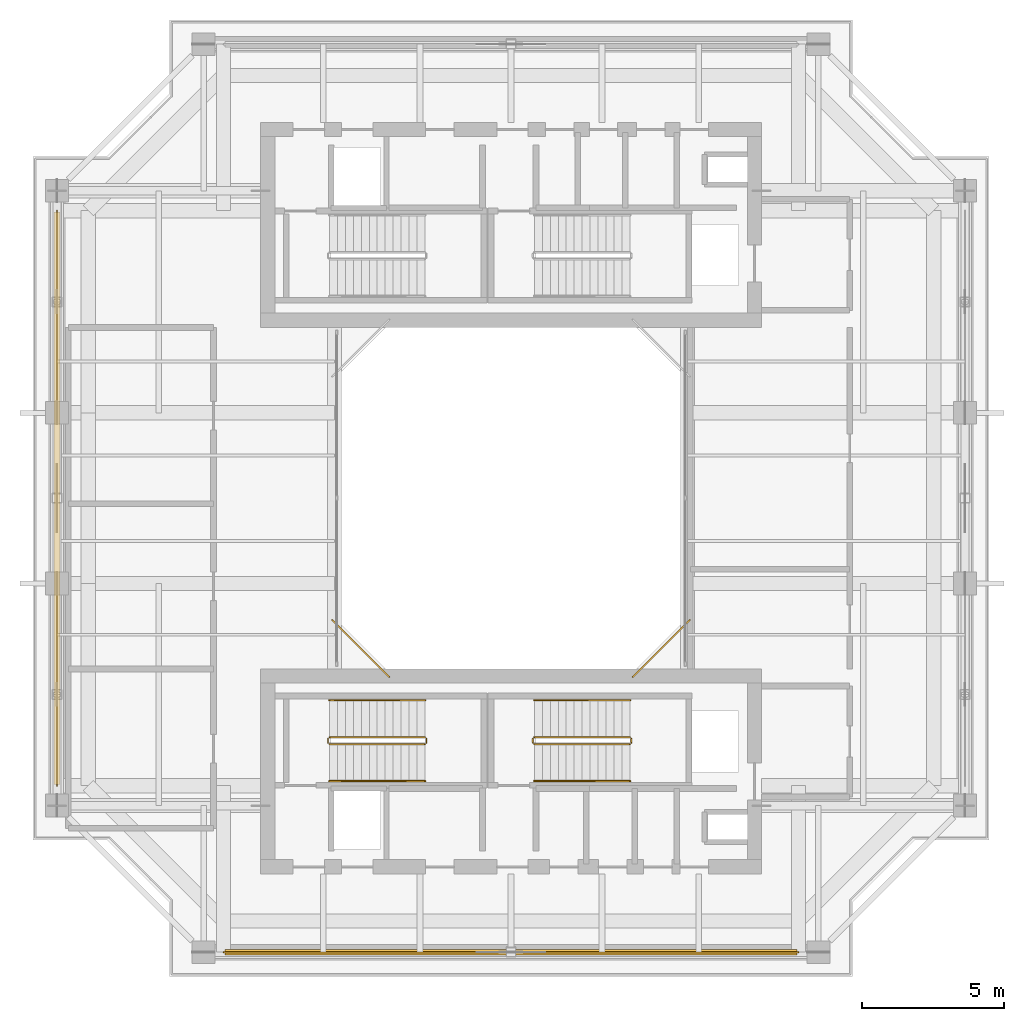
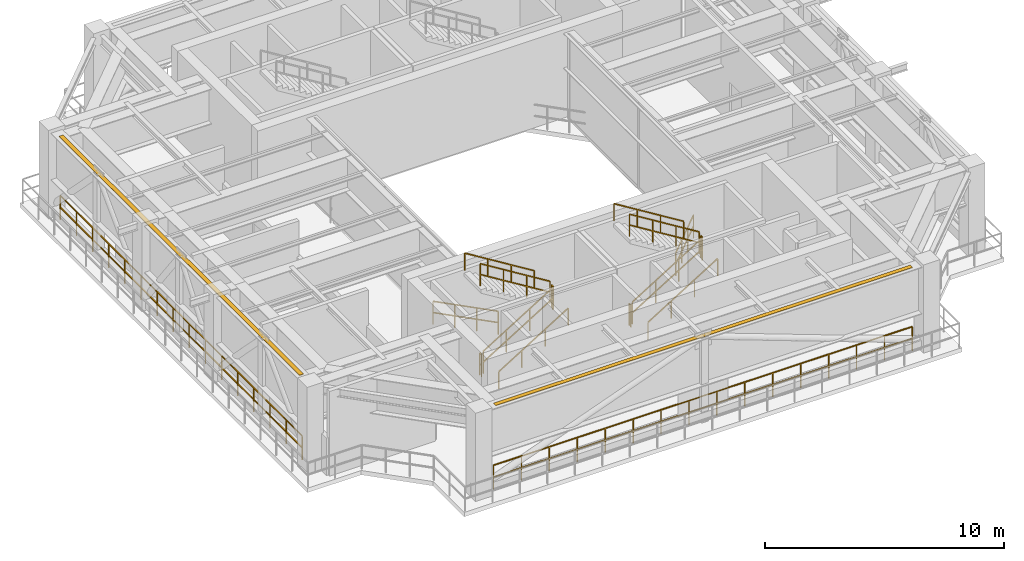
# One storey, part 8 of 10: 16 railings, 2 shading devices.
"""IFC4 building model written with IfcOpenShell, lengths in metres."""

import ifcopenshell
import ifcopenshell.guid

model = None  # the IFC model being written
_history = None  # IfcOwnerHistory: only IFC2X3 demands one
_inside = {}  # id of a spatial element -> (the spatial element, [elements in it])
_under = {}  # id of a project, library or spatial element -> (it, [spatial elements below it])
_declared = {}  # id of a project -> (the project, [libraries it declares])
_typed = {}  # id of a type object -> (the type object, [elements of that type])
_made_of = {}  # id of a material, layer set ... -> (it, [elements and type objects made of it])


def new_model(schema):
    """Start an empty IFC model of exactly this schema.

    Asked for "IFC4X3", IfcOpenShell would pick the latest addendum, in which some entities
    have other attributes; the version numbers below select the first issue.
    IFC2X3 requires an IfcOwnerHistory on every rooted entity: one is made here for all.
    """
    global model, _history
    if schema == "IFC4X3":
        model = ifcopenshell.file(schema_version=(4, 3, 0, 0))
    else:
        model = ifcopenshell.file(schema=schema)
    _inside.clear()
    _under.clear()
    _declared.clear()
    _typed.clear()
    _made_of.clear()
    _history = None
    if model.schema == "IFC2X3":
        org = make("IfcOrganization", Name="unknown")
        user = make(
            "IfcPersonAndOrganization",
            ThePerson=make("IfcPerson", FamilyName="unknown"),
            TheOrganization=org,
        )
        app = make(
            "IfcApplication",
            ApplicationDeveloper=org,
            Version="unknown",
            ApplicationFullName="unknown",
            ApplicationIdentifier="unknown",
        )
        _history = make(
            "IfcOwnerHistory",
            OwningUser=user,
            OwningApplication=app,
            ChangeAction="ADDED",
            CreationDate=0,
        )
    return model


def make(cls, **values):
    """One entity of the class cls with the attributes given. An attribute that is None is left unset."""
    return model.create_entity(
        cls, **{name: value for name, value in values.items() if value is not None}
    )


def rooted(cls, **values):
    """An entity with a GlobalId (a new one), such as an element, a storey or a relation."""
    return make(cls, GlobalId=ifcopenshell.guid.new(), OwnerHistory=_history, **values)


def si_unit(unit_type, name, prefix=None):
    """IfcSIUnit, for example si_unit("LENGTHUNIT", "METRE", prefix="MILLI")."""
    return make("IfcSIUnit", UnitType=unit_type, Prefix=prefix, Name=name)


def assignment(units):
    """IfcUnitAssignment: the units of a project."""
    return None if units is None else make("IfcUnitAssignment", Units=units)


def point(xyz):
    """IfcCartesianPoint."""
    return None if xyz is None else make("IfcCartesianPoint", Coordinates=xyz)


def direction(xyz):
    """IfcDirection."""
    return None if xyz is None else make("IfcDirection", DirectionRatios=xyz)


def frame(location, z_axis=None, x_axis=None):
    """IfcAxis2Placement3D, a coordinate frame: its origin and axes. An axis left out is left unset."""
    return make(
        "IfcAxis2Placement3D",
        Location=point(location),
        Axis=direction(z_axis),
        RefDirection=direction(x_axis),
    )


def frame_2d(location, x_axis=None):
    """IfcAxis2Placement2D, a coordinate frame in the plane: its origin and x axis."""
    return make(
        "IfcAxis2Placement2D", Location=point(location), RefDirection=direction(x_axis)
    )


def origin():
    """The frame at (0, 0, 0) with its axes left unset."""
    return frame((0.0, 0.0, 0.0))


def origin_2d():
    """The frame at (0, 0) in the plane with its x axis left unset."""
    return frame_2d((0.0, 0.0))


def place(relative_to, where):
    """IfcLocalPlacement: puts the frame where relative to a parent placement (None: the world)."""
    return make(
        "IfcLocalPlacement", PlacementRelTo=relative_to, RelativePlacement=where
    )


def context(
    kind, dimensions, precision=None, world=None, true_north=None, identifier=None
):
    """IfcGeometricRepresentationContext, for example the 3D "Model" context."""
    return make(
        "IfcGeometricRepresentationContext",
        ContextIdentifier=identifier,
        ContextType=kind,
        CoordinateSpaceDimension=dimensions,
        Precision=precision,
        WorldCoordinateSystem=world,
        TrueNorth=true_north,
    )


def subcontext(parent, identifier, kind, view, scale=None):
    """IfcGeometricRepresentationSubContext, for example "Body" below "Model"."""
    return make(
        "IfcGeometricRepresentationSubContext",
        ContextIdentifier=identifier,
        ContextType=kind,
        ParentContext=parent,
        TargetScale=scale,
        TargetView=view,
    )


def project(units=None, contexts=None):
    """IfcProject with its units and contexts."""
    return rooted(
        "IfcProject",
        Name="project",
        RepresentationContexts=contexts,
        UnitsInContext=assignment(units),
    )


def spatial(cls, under=None, at=None, **own):
    """A site, building, storey or space (cls), placed at a placement, below another one or the project."""
    s = rooted(cls, ObjectPlacement=at, **own)
    if under is not None:
        _under.setdefault(under.id(), (under, []))[1].append(s)
    return s


def profile(cls, at=None, kind="AREA", **sizes):
    """A parametric profile (cls). Its sizes go by their IFC names, for example OverallWidth=200.0."""
    return make(cls, ProfileType=kind, Position=at, **sizes)


def rectangle(**sizes):
    """IfcRectangleProfileDef."""
    return profile("IfcRectangleProfileDef", **sizes)


def extrude(swept, where, along, depth):
    """IfcExtrudedAreaSolid: the profile swept, set in the frame where, extruded along a direction by depth."""
    return make(
        "IfcExtrudedAreaSolid",
        SweptArea=swept,
        Position=where,
        ExtrudedDirection=direction(along),
        Depth=depth,
    )


def shape(context_of_items, identifier, shape_type, items):
    """IfcShapeRepresentation: the items that make up one representation, for example the "Body"."""
    return make(
        "IfcShapeRepresentation",
        ContextOfItems=context_of_items,
        RepresentationIdentifier=identifier,
        RepresentationType=shape_type,
        Items=items,
    )


def source(mapping_origin, context_of_items, identifier, shape_type, items):
    """IfcRepresentationMap: a shape defined once, which mapped items show again and again."""
    return make(
        "IfcRepresentationMap",
        MappingOrigin=mapping_origin,
        MappedRepresentation=shape(context_of_items, identifier, shape_type, items),
    )


def transform(
    local_origin,
    x_axis=None,
    y_axis=None,
    z_axis=None,
    scale=None,
    scale2=None,
    scale3=None,
    uniform=True,
):
    """IfcCartesianTransformationOperator3D, or its non-uniform kind. x_axis, y_axis, z_axis: its Axis1, 2, 3."""
    if uniform:
        return make(
            "IfcCartesianTransformationOperator3D",
            Axis1=direction(x_axis),
            Axis2=direction(y_axis),
            LocalOrigin=point(local_origin),
            Scale=scale,
            Axis3=direction(z_axis),
        )
    return make(
        "IfcCartesianTransformationOperator3DnonUniform",
        Axis1=direction(x_axis),
        Axis2=direction(y_axis),
        LocalOrigin=point(local_origin),
        Scale=scale,
        Axis3=direction(z_axis),
        Scale2=scale2,
        Scale3=scale3,
    )


def mapped(mapping_source, mapping_target):
    """IfcMappedItem: shows the shape of a source again, moved by a transform."""
    return make(
        "IfcMappedItem", MappingSource=mapping_source, MappingTarget=mapping_target
    )


def material(Name=None, Category=None):
    """IfcMaterial."""
    return make("IfcMaterial", Name=Name, Category=Category)


def material_profile(
    of_material, cross_section, Name=None, Category=None, Priority=None
):
    """IfcMaterialProfile: a cross section and its material."""
    return make(
        "IfcMaterialProfile",
        Name=Name,
        Material=of_material,
        Profile=cross_section,
        Priority=Priority,
        Category=Category,
    )


def profile_set(profiles, Name=None, composite=None):
    """IfcMaterialProfileSet."""
    return make(
        "IfcMaterialProfileSet",
        Name=Name,
        MaterialProfiles=profiles,
        CompositeProfile=composite,
    )


def made_of(thing, what):
    """Note that an element or type object is made of a material, layer set ...; save() writes the relation."""
    if what is not None:
        _made_of.setdefault(what.id(), (what, []))[1].append(thing)
    return thing


def type_object(cls, material=None, **own):
    """A type object (cls), such as IfcWallType, which elements share."""
    return made_of(rooted(cls, **own), material)


def element(
    cls,
    number,
    at=None,
    inside=None,
    cuts=None,
    type_object=None,
    material=None,
    context=None,
    identifier="Body",
    shape_type=None,
    held_by="IfcProductDefinitionShape",
    body=None,
    shapes=None,
    **own,
):
    """One element of the class cls, such as IfcWall. Its Tag is "e" and its number.

    at: its placement. inside: the storey or other place that contains it. cuts: it is an
    opening in that element (IfcRelVoidsElement). A single representation is given by context,
    identifier, shape_type and body (its items); several are given by shapes. held_by: the class
    of the entity that holds the representations. save() writes the other relations.
    """
    e = rooted(cls, Tag="e%d" % number, ObjectPlacement=at, **own)
    if body is not None:
        shapes = [shape(context, identifier, shape_type, body)]
    if shapes is not None:
        e.Representation = make(held_by, Representations=shapes)
    if inside is not None:
        _inside.setdefault(inside.id(), (inside, []))[1].append(e)
    if cuts is not None:
        rooted(
            "IfcRelVoidsElement", RelatingBuildingElement=cuts, RelatedOpeningElement=e
        )
    if type_object is not None:
        _typed.setdefault(type_object.id(), (type_object, []))[1].append(e)
    return made_of(e, material)


def aggregate(whole, parts):
    """IfcRelAggregates: a whole, such as a stair, and the parts it consists of."""
    return rooted("IfcRelAggregates", RelatingObject=whole, RelatedObjects=parts)


def save(model, path):
    """Write the relations noted so far, then the file.

    IfcRelAggregates (storeys below a building ...), IfcRelContainedInSpatialStructure (elements
    in a storey), IfcRelDefinesByType, IfcRelAssociatesMaterial and IfcRelDeclares: one each for
    every whole, place, type object, material and project.
    """
    for whole, parts in _under.values():
        aggregate(whole, parts)
    for where, things in _inside.values():
        rooted(
            "IfcRelContainedInSpatialStructure",
            RelatedElements=things,
            RelatingStructure=where,
        )
    for kind, things in _typed.values():
        rooted("IfcRelDefinesByType", RelatedObjects=things, RelatingType=kind)
    for what, things in _made_of.values():
        rooted("IfcRelAssociatesMaterial", RelatedObjects=things, RelatingMaterial=what)
    for by, libraries in _declared.values():
        rooted("IfcRelDeclares", RelatingContext=by, RelatedDefinitions=libraries)
    model.write(path)


model = new_model("IFC4")

# Units and contexts
model_context = context("Model", 3, precision=1e-05, world=origin(), true_north=direction((0.0, 1.0)))
body_context = subcontext(model_context, "Body", "Model", "MODEL_VIEW")
ifc_project = project(units=[si_unit("LENGTHUNIT", "METRE"), si_unit("AREAUNIT", "SQUARE_METRE"), si_unit("VOLUMEUNIT", "CUBIC_METRE"), si_unit("PLANEANGLEUNIT", "RADIAN"), si_unit("MASSUNIT", "GRAM", prefix="KILO"), si_unit("THERMODYNAMICTEMPERATUREUNIT", "KELVIN"), si_unit("POWERUNIT", "WATT")], contexts=[model_context])

# Site, building, storey
site_placement = place(None, origin())
site = spatial("IfcSite", under=ifc_project, at=site_placement, CompositionType="ELEMENT")
building_placement = place(site_placement, origin())
building = spatial("IfcBuilding", under=site, at=building_placement, Name="Qiaomeng Ring Towers", CompositionType="ELEMENT")
storey_placement = place(building_placement, frame((0.0, 0.0, 232.75)))
storey = spatial("IfcBuildingStorey", under=building, at=storey_placement, Name="L68", CompositionType="ELEMENT", Elevation=232.75)

# Railings
ifc_material_1 = material(Name="Low-E pale-green laminated safety glass", Category="glass")
railing_type_1 = type_object("IfcRailingType", Name="ARC-RL-BAL1", PredefinedType="BALUSTRADE", material=ifc_material_1)
railing_1_placement = place(storey_placement, frame((23.280029296875, 16.719970703125, 0.0)))
element("IfcRailing", 1, at=railing_1_placement, inside=storey, type_object=railing_type_1, Name="L68 Balustrade ARC-BAL-WELL1-L68-1", PredefinedType="BALUSTRADE", context=body_context, shape_type="SweptSolid", body=[
    extrude(rectangle(XDim=0.048095703125, YDim=0.048095703125, at=origin_2d()), frame((0.0, 0.0, 1.17578125), z_axis=(0.707106781187, 0.707106781187, 0.0), x_axis=(-0.707106781187, 0.707106781187, 0.0)), (0.0, 0.0, 1.0), 2.828369140625),
    extrude(rectangle(XDim=0.048095703125, YDim=0.048095703125, at=origin_2d()), frame((0.0, 0.0, 0.60009765625), z_axis=(0.707106781187, 0.707106781187, 0.0), x_axis=(-0.707106781187, 0.707106781187, 0.0)), (0.0, 0.0, 1.0), 2.828369140625),
    extrude(rectangle(XDim=0.0419921875, YDim=0.0419921875, at=origin_2d()), origin(), (0.0, 0.0, 1.0), 1.15185546875),
    extrude(rectangle(XDim=0.0419921875, YDim=0.0419921875, at=origin_2d()), frame((0.666748046875, 0.666748046875, 0.0)), (0.0, 0.0, 1.0), 1.15185546875),
    extrude(rectangle(XDim=0.0419921875, YDim=0.0419921875, at=origin_2d()), frame((1.333251953125, 1.333251953125, 0.0)), (0.0, 0.0, 1.0), 1.15185546875),
    extrude(rectangle(XDim=0.0419921875, YDim=0.0419921875, at=origin_2d()), frame((2.0, 2.0, 0.0)), (0.0, 0.0, 1.0), 1.15185546875),
])
railing_2_placement = place(storey_placement, frame((12.719970703125, 18.719970703125, 0.0)))
element("IfcRailing", 2, at=railing_2_placement, inside=storey, type_object=railing_type_1, Name="L68 Balustrade ARC-BAL-WELL1-L68-4", PredefinedType="BALUSTRADE", context=body_context, shape_type="SweptSolid", body=[
    extrude(rectangle(XDim=0.048095703125, YDim=0.048095703125, at=origin_2d()), frame((0.0, 0.0, 1.17578125), z_axis=(0.707106781187, -0.707106781187, 0.0), x_axis=(0.707106781187, 0.707106781187, 0.0)), (0.0, 0.0, 1.0), 2.828369140625),
    extrude(rectangle(XDim=0.048095703125, YDim=0.048095703125, at=origin_2d()), frame((0.0, 0.0, 0.60009765625), z_axis=(0.707106781187, -0.707106781187, 0.0), x_axis=(0.707106781187, 0.707106781187, 0.0)), (0.0, 0.0, 1.0), 2.828369140625),
    extrude(rectangle(XDim=0.0419921875, YDim=0.0419921875, at=origin_2d()), origin(), (0.0, 0.0, 1.0), 1.15185546875),
    extrude(rectangle(XDim=0.0419921875, YDim=0.0419921875, at=origin_2d()), frame((0.666748046875, -0.666748046875, 0.0)), (0.0, 0.0, 1.0), 1.15185546875),
    extrude(rectangle(XDim=0.0419921875, YDim=0.0419921875, at=origin_2d()), frame((1.333251953125, -1.333251953125, 0.0)), (0.0, 0.0, 1.0), 1.15185546875),
    extrude(rectangle(XDim=0.0419921875, YDim=0.0419921875, at=origin_2d()), frame((2.0, -2.0, 0.0)), (0.0, 0.0, 1.0), 1.15185546875),
])
ifc_material_2 = material(Name="Stainless steel 316", Category="steel")
railing_type_2 = type_object("IfcRailingType", Name="ARC-RL-BAL2", PredefinedType="BALUSTRADE", material=ifc_material_2)
railing_3_placement = place(storey_placement, frame((8.89990234375, 7.050048828125, 0.0)))
element("IfcRailing", 3, at=railing_3_placement, inside=storey, type_object=railing_type_2, Name="L68 Open Refuge Band Perimeter Guard S", PredefinedType="BALUSTRADE", context=body_context, shape_type="SweptSolid", body=[
    extrude(rectangle(XDim=0.048095703125, YDim=0.048095703125, at=origin_2d()), frame((0.0, 0.0, 1.22607421875), z_axis=(1.0, 0.0, 0.0), x_axis=(0.0, 1.0, 0.0)), (0.0, 0.0, 1.0), 20.2001953125),
    extrude(rectangle(XDim=0.048095703125, YDim=0.048095703125, at=origin_2d()), frame((0.0, 0.0, 0.625), z_axis=(1.0, 0.0, 0.0), x_axis=(0.0, 1.0, 0.0)), (0.0, 0.0, 1.0), 20.2001953125),
    extrude(rectangle(XDim=0.0419921875, YDim=0.0419921875, at=origin_2d()), origin(), (0.0, 0.0, 1.0), 1.201904296875),
    extrude(rectangle(XDim=0.0419921875, YDim=0.0419921875, at=origin_2d()), frame((1.3466796875, 0.0, 0.0)), (0.0, 0.0, 1.0), 1.201904296875),
    extrude(rectangle(XDim=0.0419921875, YDim=0.0419921875, at=origin_2d()), frame((2.693359375, 0.0, 0.0)), (0.0, 0.0, 1.0), 1.201904296875),
    extrude(rectangle(XDim=0.0419921875, YDim=0.0419921875, at=origin_2d()), frame((4.0400390625, 0.0, 0.0)), (0.0, 0.0, 1.0), 1.201904296875),
    extrude(rectangle(XDim=0.0419921875, YDim=0.0419921875, at=origin_2d()), frame((5.38671875, 0.0, 0.0)), (0.0, 0.0, 1.0), 1.201904296875),
    extrude(rectangle(XDim=0.0419921875, YDim=0.0419921875, at=origin_2d()), frame((6.7333984375, 0.0, 0.0)), (0.0, 0.0, 1.0), 1.201904296875),
    extrude(rectangle(XDim=0.0419921875, YDim=0.0419921875, at=origin_2d()), frame((8.080078125, 0.0, 0.0)), (0.0, 0.0, 1.0), 1.201904296875),
    extrude(rectangle(XDim=0.0419921875, YDim=0.0419921875, at=origin_2d()), frame((9.4267578125, 0.0, 0.0)), (0.0, 0.0, 1.0), 1.201904296875),
    extrude(rectangle(XDim=0.0419921875, YDim=0.0419921875, at=origin_2d()), frame((10.7734375, 0.0, 0.0)), (0.0, 0.0, 1.0), 1.201904296875),
    extrude(rectangle(XDim=0.0419921875, YDim=0.0419921875, at=origin_2d()), frame((12.1201171875, 0.0, 0.0)), (0.0, 0.0, 1.0), 1.201904296875),
    extrude(rectangle(XDim=0.0419921875, YDim=0.0419921875, at=origin_2d()), frame((13.466796875, 0.0, 0.0)), (0.0, 0.0, 1.0), 1.201904296875),
    extrude(rectangle(XDim=0.0419921875, YDim=0.0419921875, at=origin_2d()), frame((14.8134765625, 0.0, 0.0)), (0.0, 0.0, 1.0), 1.201904296875),
    extrude(rectangle(XDim=0.0419921875, YDim=0.0419921875, at=origin_2d()), frame((16.16015625, 0.0, 0.0)), (0.0, 0.0, 1.0), 1.201904296875),
    extrude(rectangle(XDim=0.0419921875, YDim=0.0419921875, at=origin_2d()), frame((17.5068359375, 0.0, 0.0)), (0.0, 0.0, 1.0), 1.201904296875),
    extrude(rectangle(XDim=0.0419921875, YDim=0.0419921875, at=origin_2d()), frame((18.853515625, 0.0, 0.0)), (0.0, 0.0, 1.0), 1.201904296875),
    extrude(rectangle(XDim=0.0419921875, YDim=0.0419921875, at=origin_2d()), frame((20.2001953125, 0.0, 0.0)), (0.0, 0.0, 1.0), 1.201904296875),
])
railing_4_placement = place(storey_placement, frame((3.050048828125, 33.10009765625, 0.0)))
element("IfcRailing", 4, at=railing_4_placement, inside=storey, type_object=railing_type_2, Name="L68 Open Refuge Band Perimeter Guard W", PredefinedType="BALUSTRADE", context=body_context, shape_type="SweptSolid", body=[
    extrude(rectangle(XDim=0.048095703125, YDim=0.048095703125, at=origin_2d()), frame((0.0, 0.0, 1.22607421875), z_axis=(0.0, -1.0, 0.0), x_axis=(1.0, 0.0, 0.0)), (0.0, 0.0, 1.0), 20.2001953125),
    extrude(rectangle(XDim=0.048095703125, YDim=0.048095703125, at=origin_2d()), frame((0.0, 0.0, 0.625), z_axis=(0.0, -1.0, 0.0), x_axis=(1.0, 0.0, 0.0)), (0.0, 0.0, 1.0), 20.2001953125),
    extrude(rectangle(XDim=0.0419921875, YDim=0.0419921875, at=origin_2d()), origin(), (0.0, 0.0, 1.0), 1.201904296875),
    extrude(rectangle(XDim=0.0419921875, YDim=0.0419921875, at=origin_2d()), frame((0.0, -1.3466796875, 0.0)), (0.0, 0.0, 1.0), 1.201904296875),
    extrude(rectangle(XDim=0.0419921875, YDim=0.0419921875, at=origin_2d()), frame((0.0, -2.693359375, 0.0)), (0.0, 0.0, 1.0), 1.201904296875),
    extrude(rectangle(XDim=0.0419921875, YDim=0.0419921875, at=origin_2d()), frame((0.0, -4.0400390625, 0.0)), (0.0, 0.0, 1.0), 1.201904296875),
    extrude(rectangle(XDim=0.0419921875, YDim=0.0419921875, at=origin_2d()), frame((0.0, -5.38671875, 0.0)), (0.0, 0.0, 1.0), 1.201904296875),
    extrude(rectangle(XDim=0.0419921875, YDim=0.0419921875, at=origin_2d()), frame((0.0, -6.7333984375, 0.0)), (0.0, 0.0, 1.0), 1.201904296875),
    extrude(rectangle(XDim=0.0419921875, YDim=0.0419921875, at=origin_2d()), frame((0.0, -8.080078125, 0.0)), (0.0, 0.0, 1.0), 1.201904296875),
    extrude(rectangle(XDim=0.0419921875, YDim=0.0419921875, at=origin_2d()), frame((0.0, -9.4267578125, 0.0)), (0.0, 0.0, 1.0), 1.201904296875),
    extrude(rectangle(XDim=0.0419921875, YDim=0.0419921875, at=origin_2d()), frame((0.0, -10.7734375, 0.0)), (0.0, 0.0, 1.0), 1.201904296875),
    extrude(rectangle(XDim=0.0419921875, YDim=0.0419921875, at=origin_2d()), frame((0.0, -12.1201171875, 0.0)), (0.0, 0.0, 1.0), 1.201904296875),
    extrude(rectangle(XDim=0.0419921875, YDim=0.0419921875, at=origin_2d()), frame((0.0, -13.466796875, 0.0)), (0.0, 0.0, 1.0), 1.201904296875),
    extrude(rectangle(XDim=0.0419921875, YDim=0.0419921875, at=origin_2d()), frame((0.0, -14.8134765625, 0.0)), (0.0, 0.0, 1.0), 1.201904296875),
    extrude(rectangle(XDim=0.0419921875, YDim=0.0419921875, at=origin_2d()), frame((0.0, -16.16015625, 0.0)), (0.0, 0.0, 1.0), 1.201904296875),
    extrude(rectangle(XDim=0.0419921875, YDim=0.0419921875, at=origin_2d()), frame((0.0, -17.5068359375, 0.0)), (0.0, 0.0, 1.0), 1.201904296875),
    extrude(rectangle(XDim=0.0419921875, YDim=0.0419921875, at=origin_2d()), frame((0.0, -18.853515625, 0.0)), (0.0, 0.0, 1.0), 1.201904296875),
    extrude(rectangle(XDim=0.0419921875, YDim=0.0419921875, at=origin_2d()), frame((0.0, -20.2001953125, 0.0)), (0.0, 0.0, 1.0), 1.201904296875),
])
ifc_material_3 = material(Name="Galvanised steel", Category="steel")
railing_type_3 = type_object("IfcRailingType", Name="ARC-RL-GUARD", PredefinedType="GUARDRAIL", material=ifc_material_3)
railing_5_placement = place(storey_placement, frame((12.6201171875, 14.360107421875, 0.173095703125)))
element("IfcRailing", 5, at=railing_5_placement, inside=storey, type_object=railing_type_3, Name="L68 ST3 stair guard 1", PredefinedType="GUARDRAIL", context=body_context, shape_type="SweptSolid", body=[
    extrude(rectangle(XDim=0.048095703125, YDim=0.048095703125, at=origin_2d()), frame((0.0, 0.0, 1.1259765625), z_axis=(0.850606129759, 0.0, 0.525803396734), x_axis=(0.0, 1.0, 0.0)), (0.0, 0.0, 1.0), 3.949951171875),
    extrude(rectangle(XDim=0.048095703125, YDim=0.048095703125, at=origin_2d()), frame((0.0, 0.0, 0.574951171875), z_axis=(0.850606129759, 0.0, 0.525803396734), x_axis=(0.0, 1.0, 0.0)), (0.0, 0.0, 1.0), 3.949951171875),
    extrude(rectangle(XDim=0.0419921875, YDim=0.0419921875, at=origin_2d()), origin(), (0.0, 0.0, 1.0), 1.101806640625),
    extrude(rectangle(XDim=0.0419921875, YDim=0.0419921875, at=origin_2d()), frame((1.119873046875, 0.0, 0.6923828125)), (0.0, 0.0, 1.0), 1.101806640625),
    extrude(rectangle(XDim=0.0419921875, YDim=0.0419921875, at=origin_2d()), frame((2.239990234375, 0.0, 1.384521484375)), (0.0, 0.0, 1.0), 1.101806640625),
    extrude(rectangle(XDim=0.0419921875, YDim=0.0419921875, at=origin_2d()), frame((3.35986328125, 0.0, 2.076904296875)), (0.0, 0.0, 1.0), 1.101806640625),
])
railing_6_placement = place(storey_placement, frame((16.030029296875, 14.409912109375, 2.25)))
element("IfcRailing", 6, at=railing_6_placement, inside=storey, type_object=railing_type_3, Name="L68 ST3 stair guard 2", PredefinedType="GUARDRAIL", context=body_context, shape_type="SweptSolid", body=[
    extrude(rectangle(XDim=0.048095703125, YDim=0.048095703125, at=origin_2d()), frame((0.0, 0.0, 1.1259765625), z_axis=(0.0, 1.0, 0.0), x_axis=(-1.0, 0.0, 0.0)), (0.0, 0.0, 1.0), 0.14013671875),
    extrude(rectangle(XDim=0.048095703125, YDim=0.048095703125, at=origin_2d()), frame((0.0, 0.0, 0.574951171875), z_axis=(0.0, 1.0, 0.0), x_axis=(-1.0, 0.0, 0.0)), (0.0, 0.0, 1.0), 0.14013671875),
    extrude(rectangle(XDim=0.0419921875, YDim=0.0419921875, at=origin_2d()), origin(), (0.0, 0.0, 1.0), 1.101806640625),
    extrude(rectangle(XDim=0.0419921875, YDim=0.0419921875, at=origin_2d()), frame((0.0, 0.14013671875, 0.0)), (0.0, 0.0, 1.0), 1.101806640625),
])
railing_7_placement = place(storey_placement, frame((15.97998046875, 14.60009765625, 2.423095703125)))
element("IfcRailing", 7, at=railing_7_placement, inside=storey, type_object=railing_type_3, Name="L68 ST3 stair guard 3", PredefinedType="GUARDRAIL", context=body_context, shape_type="SweptSolid", body=[
    extrude(rectangle(XDim=0.048095703125, YDim=0.048095703125, at=origin_2d()), frame((0.0, 0.0, 1.1259765625), z_axis=(-0.850606129759, 0.0, 0.525803396734), x_axis=(0.0, -1.0, 0.0)), (0.0, 0.0, 1.0), 3.949951171875),
    extrude(rectangle(XDim=0.048095703125, YDim=0.048095703125, at=origin_2d()), frame((0.0, 0.0, 0.574951171875), z_axis=(-0.850606129759, 0.0, 0.525803396734), x_axis=(0.0, -1.0, 0.0)), (0.0, 0.0, 1.0), 3.949951171875),
    extrude(rectangle(XDim=0.0419921875, YDim=0.0419921875, at=origin_2d()), origin(), (0.0, 0.0, 1.0), 1.101806640625),
    extrude(rectangle(XDim=0.0419921875, YDim=0.0419921875, at=origin_2d()), frame((-1.119873046875, 0.0, 0.6923828125)), (0.0, 0.0, 1.0), 1.101806640625),
    extrude(rectangle(XDim=0.0419921875, YDim=0.0419921875, at=origin_2d()), frame((-2.239990234375, 0.0, 1.384521484375)), (0.0, 0.0, 1.0), 1.101806640625),
    extrude(rectangle(XDim=0.0419921875, YDim=0.0419921875, at=origin_2d()), frame((-3.35986328125, 0.0, 2.076904296875)), (0.0, 0.0, 1.0), 1.101806640625),
])
railing_8_placement = place(storey_placement, frame((12.570068359375, 14.409912109375, 0.0)))
element("IfcRailing", 8, at=railing_8_placement, inside=storey, type_object=railing_type_3, Name="L68 ST3 stair guard 4", PredefinedType="GUARDRAIL", context=body_context, shape_type="SweptSolid", body=[
    extrude(rectangle(XDim=0.048095703125, YDim=0.048095703125, at=origin_2d()), frame((0.0, 0.0, 1.1259765625), z_axis=(0.0, 1.0, 0.0), x_axis=(-1.0, 0.0, 0.0)), (0.0, 0.0, 1.0), 0.14013671875),
    extrude(rectangle(XDim=0.048095703125, YDim=0.048095703125, at=origin_2d()), frame((0.0, 0.0, 0.574951171875), z_axis=(0.0, 1.0, 0.0), x_axis=(-1.0, 0.0, 0.0)), (0.0, 0.0, 1.0), 0.14013671875),
    extrude(rectangle(XDim=0.0419921875, YDim=0.0419921875, at=origin_2d()), origin(), (0.0, 0.0, 1.0), 1.101806640625),
    extrude(rectangle(XDim=0.0419921875, YDim=0.0419921875, at=origin_2d()), frame((0.0, 0.14013671875, 0.0)), (0.0, 0.0, 1.0), 1.101806640625),
])
railing_9_placement = place(storey_placement, frame((19.820068359375, 14.360107421875, 0.173095703125)))
element("IfcRailing", 9, at=railing_9_placement, inside=storey, type_object=railing_type_3, Name="L68 ST4 stair guard 1", PredefinedType="GUARDRAIL", context=body_context, shape_type="SweptSolid", body=[
    extrude(rectangle(XDim=0.048095703125, YDim=0.048095703125, at=origin_2d()), frame((0.0, 0.0, 1.1259765625), z_axis=(0.850606129759, 0.0, 0.525803396734), x_axis=(0.0, 1.0, 0.0)), (0.0, 0.0, 1.0), 3.949951171875),
    extrude(rectangle(XDim=0.048095703125, YDim=0.048095703125, at=origin_2d()), frame((0.0, 0.0, 0.574951171875), z_axis=(0.850606129759, 0.0, 0.525803396734), x_axis=(0.0, 1.0, 0.0)), (0.0, 0.0, 1.0), 3.949951171875),
    extrude(rectangle(XDim=0.0419921875, YDim=0.0419921875, at=origin_2d()), origin(), (0.0, 0.0, 1.0), 1.101806640625),
    extrude(rectangle(XDim=0.0419921875, YDim=0.0419921875, at=origin_2d()), frame((1.119873046875, 0.0, 0.6923828125)), (0.0, 0.0, 1.0), 1.101806640625),
    extrude(rectangle(XDim=0.0419921875, YDim=0.0419921875, at=origin_2d()), frame((2.239990234375, 0.0, 1.384521484375)), (0.0, 0.0, 1.0), 1.101806640625),
    extrude(rectangle(XDim=0.0419921875, YDim=0.0419921875, at=origin_2d()), frame((3.35986328125, 0.0, 2.076904296875)), (0.0, 0.0, 1.0), 1.101806640625),
])
railing_10_placement = place(storey_placement, frame((23.22998046875, 14.409912109375, 2.25)))
element("IfcRailing", 10, at=railing_10_placement, inside=storey, type_object=railing_type_3, Name="L68 ST4 stair guard 2", PredefinedType="GUARDRAIL", context=body_context, shape_type="SweptSolid", body=[
    extrude(rectangle(XDim=0.048095703125, YDim=0.048095703125, at=origin_2d()), frame((0.0, 0.0, 1.1259765625), z_axis=(0.0, 1.0, 0.0), x_axis=(-1.0, 0.0, 0.0)), (0.0, 0.0, 1.0), 0.14013671875),
    extrude(rectangle(XDim=0.048095703125, YDim=0.048095703125, at=origin_2d()), frame((0.0, 0.0, 0.574951171875), z_axis=(0.0, 1.0, 0.0), x_axis=(-1.0, 0.0, 0.0)), (0.0, 0.0, 1.0), 0.14013671875),
    extrude(rectangle(XDim=0.0419921875, YDim=0.0419921875, at=origin_2d()), origin(), (0.0, 0.0, 1.0), 1.101806640625),
    extrude(rectangle(XDim=0.0419921875, YDim=0.0419921875, at=origin_2d()), frame((0.0, 0.14013671875, 0.0)), (0.0, 0.0, 1.0), 1.101806640625),
])
railing_11_placement = place(storey_placement, frame((23.179931640625, 14.60009765625, 2.423095703125)))
element("IfcRailing", 11, at=railing_11_placement, inside=storey, type_object=railing_type_3, Name="L68 ST4 stair guard 3", PredefinedType="GUARDRAIL", context=body_context, shape_type="SweptSolid", body=[
    extrude(rectangle(XDim=0.048095703125, YDim=0.048095703125, at=origin_2d()), frame((0.0, 0.0, 1.1259765625), z_axis=(-0.850606129759, 0.0, 0.525803396734), x_axis=(0.0, -1.0, 0.0)), (0.0, 0.0, 1.0), 3.949951171875),
    extrude(rectangle(XDim=0.048095703125, YDim=0.048095703125, at=origin_2d()), frame((0.0, 0.0, 0.574951171875), z_axis=(-0.850606129759, 0.0, 0.525803396734), x_axis=(0.0, -1.0, 0.0)), (0.0, 0.0, 1.0), 3.949951171875),
    extrude(rectangle(XDim=0.0419921875, YDim=0.0419921875, at=origin_2d()), origin(), (0.0, 0.0, 1.0), 1.101806640625),
    extrude(rectangle(XDim=0.0419921875, YDim=0.0419921875, at=origin_2d()), frame((-1.119873046875, 0.0, 0.6923828125)), (0.0, 0.0, 1.0), 1.101806640625),
    extrude(rectangle(XDim=0.0419921875, YDim=0.0419921875, at=origin_2d()), frame((-2.239990234375, 0.0, 1.384521484375)), (0.0, 0.0, 1.0), 1.101806640625),
    extrude(rectangle(XDim=0.0419921875, YDim=0.0419921875, at=origin_2d()), frame((-3.35986328125, 0.0, 2.076904296875)), (0.0, 0.0, 1.0), 1.101806640625),
])
railing_12_placement = place(storey_placement, frame((19.77001953125, 14.409912109375, 0.0)))
element("IfcRailing", 12, at=railing_12_placement, inside=storey, type_object=railing_type_3, Name="L68 ST4 stair guard 4", PredefinedType="GUARDRAIL", context=body_context, shape_type="SweptSolid", body=[
    extrude(rectangle(XDim=0.048095703125, YDim=0.048095703125, at=origin_2d()), frame((0.0, 0.0, 1.1259765625), z_axis=(0.0, 1.0, 0.0), x_axis=(-1.0, 0.0, 0.0)), (0.0, 0.0, 1.0), 0.14013671875),
    extrude(rectangle(XDim=0.048095703125, YDim=0.048095703125, at=origin_2d()), frame((0.0, 0.0, 0.574951171875), z_axis=(0.0, 1.0, 0.0), x_axis=(-1.0, 0.0, 0.0)), (0.0, 0.0, 1.0), 0.14013671875),
    extrude(rectangle(XDim=0.0419921875, YDim=0.0419921875, at=origin_2d()), origin(), (0.0, 0.0, 1.0), 1.101806640625),
    extrude(rectangle(XDim=0.0419921875, YDim=0.0419921875, at=origin_2d()), frame((0.0, 0.14013671875, 0.0)), (0.0, 0.0, 1.0), 1.101806640625),
])
railing_type_4 = type_object("IfcRailingType", Name="ARC-RL-HAND", PredefinedType="HANDRAIL", material=ifc_material_2)
railing_13_placement = place(storey_placement, frame((12.6201171875, 13.06005859375, 0.173095703125)))
element("IfcRailing", 13, at=railing_13_placement, inside=storey, type_object=railing_type_4, Name="L68 ST3 stair handrail 1", PredefinedType="HANDRAIL", context=body_context, shape_type="SweptSolid", body=[
    extrude(rectangle(XDim=0.048095703125, YDim=0.048095703125, at=origin_2d()), frame((0.0, 0.0, 0.8759765625), z_axis=(0.850606129759, 0.0, 0.525803396734), x_axis=(0.0, 1.0, 0.0)), (0.0, 0.0, 1.0), 3.949951171875),
    extrude(rectangle(XDim=0.0419921875, YDim=0.0419921875, at=origin_2d()), origin(), (0.0, 0.0, 1.0), 0.851806640625),
    extrude(rectangle(XDim=0.0419921875, YDim=0.0419921875, at=origin_2d()), frame((1.119873046875, 0.0, 0.6923828125)), (0.0, 0.0, 1.0), 0.851806640625),
    extrude(rectangle(XDim=0.0419921875, YDim=0.0419921875, at=origin_2d()), frame((2.239990234375, 0.0, 1.384521484375)), (0.0, 0.0, 1.0), 0.851806640625),
    extrude(rectangle(XDim=0.0419921875, YDim=0.0419921875, at=origin_2d()), frame((3.35986328125, 0.0, 2.076904296875)), (0.0, 0.0, 1.0), 0.851806640625),
])
railing_14_placement = place(storey_placement, frame((15.97998046875, 15.89990234375, 2.423095703125)))
element("IfcRailing", 14, at=railing_14_placement, inside=storey, type_object=railing_type_4, Name="L68 ST3 stair handrail 2", PredefinedType="HANDRAIL", context=body_context, shape_type="SweptSolid", body=[
    extrude(rectangle(XDim=0.048095703125, YDim=0.048095703125, at=origin_2d()), frame((0.0, 0.0, 0.8759765625), z_axis=(-0.850606129759, 0.0, 0.525803396734), x_axis=(0.0, -1.0, 0.0)), (0.0, 0.0, 1.0), 3.949951171875),
    extrude(rectangle(XDim=0.0419921875, YDim=0.0419921875, at=origin_2d()), origin(), (0.0, 0.0, 1.0), 0.851806640625),
    extrude(rectangle(XDim=0.0419921875, YDim=0.0419921875, at=origin_2d()), frame((-1.119873046875, 0.0, 0.6923828125)), (0.0, 0.0, 1.0), 0.851806640625),
    extrude(rectangle(XDim=0.0419921875, YDim=0.0419921875, at=origin_2d()), frame((-2.239990234375, 0.0, 1.384521484375)), (0.0, 0.0, 1.0), 0.851806640625),
    extrude(rectangle(XDim=0.0419921875, YDim=0.0419921875, at=origin_2d()), frame((-3.35986328125, 0.0, 2.076904296875)), (0.0, 0.0, 1.0), 0.851806640625),
])
railing_15_placement = place(storey_placement, frame((19.820068359375, 13.06005859375, 0.173095703125)))
element("IfcRailing", 15, at=railing_15_placement, inside=storey, type_object=railing_type_4, Name="L68 ST4 stair handrail 1", PredefinedType="HANDRAIL", context=body_context, shape_type="SweptSolid", body=[
    extrude(rectangle(XDim=0.048095703125, YDim=0.048095703125, at=origin_2d()), frame((0.0, 0.0, 0.8759765625), z_axis=(0.850606129759, 0.0, 0.525803396734), x_axis=(0.0, 1.0, 0.0)), (0.0, 0.0, 1.0), 3.949951171875),
    extrude(rectangle(XDim=0.0419921875, YDim=0.0419921875, at=origin_2d()), origin(), (0.0, 0.0, 1.0), 0.851806640625),
    extrude(rectangle(XDim=0.0419921875, YDim=0.0419921875, at=origin_2d()), frame((1.119873046875, 0.0, 0.6923828125)), (0.0, 0.0, 1.0), 0.851806640625),
    extrude(rectangle(XDim=0.0419921875, YDim=0.0419921875, at=origin_2d()), frame((2.239990234375, 0.0, 1.384521484375)), (0.0, 0.0, 1.0), 0.851806640625),
    extrude(rectangle(XDim=0.0419921875, YDim=0.0419921875, at=origin_2d()), frame((3.35986328125, 0.0, 2.076904296875)), (0.0, 0.0, 1.0), 0.851806640625),
])
railing_16_placement = place(storey_placement, frame((23.179931640625, 15.89990234375, 2.423095703125)))
element("IfcRailing", 16, at=railing_16_placement, inside=storey, type_object=railing_type_4, Name="L68 ST4 stair handrail 2", PredefinedType="HANDRAIL", context=body_context, shape_type="SweptSolid", body=[
    extrude(rectangle(XDim=0.048095703125, YDim=0.048095703125, at=origin_2d()), frame((0.0, 0.0, 0.8759765625), z_axis=(-0.850606129759, 0.0, 0.525803396734), x_axis=(0.0, -1.0, 0.0)), (0.0, 0.0, 1.0), 3.949951171875),
    extrude(rectangle(XDim=0.0419921875, YDim=0.0419921875, at=origin_2d()), origin(), (0.0, 0.0, 1.0), 0.851806640625),
    extrude(rectangle(XDim=0.0419921875, YDim=0.0419921875, at=origin_2d()), frame((-1.119873046875, 0.0, 0.6923828125)), (0.0, 0.0, 1.0), 0.851806640625),
    extrude(rectangle(XDim=0.0419921875, YDim=0.0419921875, at=origin_2d()), frame((-2.239990234375, 0.0, 1.384521484375)), (0.0, 0.0, 1.0), 0.851806640625),
    extrude(rectangle(XDim=0.0419921875, YDim=0.0419921875, at=origin_2d()), frame((-3.35986328125, 0.0, 2.076904296875)), (0.0, 0.0, 1.0), 0.851806640625),
])

# Shading devices
ifc_material_profile = material_profile(ifc_material_2, rectangle(XDim=0.199951171875, YDim=0.0400390625, at=origin_2d()), Name="LV BLADE 200x40")
ifc_profile_set = profile_set([ifc_material_profile], Name="Stainless steel 316")
shading_device_type = type_object("IfcShadingDeviceType", Name="ARC-SHD-LOUVRE", PredefinedType="JALOUSIE", material=ifc_profile_set)
shared_shape = source(origin(), body_context, "Body", "SweptSolid", [
    extrude(rectangle(XDim=0.199951171875, YDim=0.0400390625, at=origin_2d()), origin(), (0.0, 0.0, 1.0), 20.10009765625),
])
for number, where, z_axis, x_axis, name in (
    (17, (8.949951171875, 7.050048828125, 4.300048828125), (1.0, 0.0, 0.0), (0.0, 1.0, 0.0), "L68 Stainless Acoustic Intake Louvre S"),
    (18, (3.050048828125, 33.050048828125, 4.300048828125), (0.0, -1.0, 0.0), (1.0, 0.0, 0.0), "L68 Stainless Acoustic Intake Louvre W"),
):
    element("IfcShadingDevice", number, at=place(storey_placement, frame(where, z_axis=z_axis, x_axis=x_axis)), inside=storey, type_object=shading_device_type, Name=name, PredefinedType="JALOUSIE", context=body_context, shape_type="MappedRepresentation", body=[
        mapped(shared_shape, transform((0.0, 0.0, 0.0), x_axis=(1.0, 0.0, 0.0), y_axis=(0.0, 1.0, 0.0), z_axis=(0.0, 0.0, 1.0), scale=1.0)),
    ])

save(model, "model.ifc")
